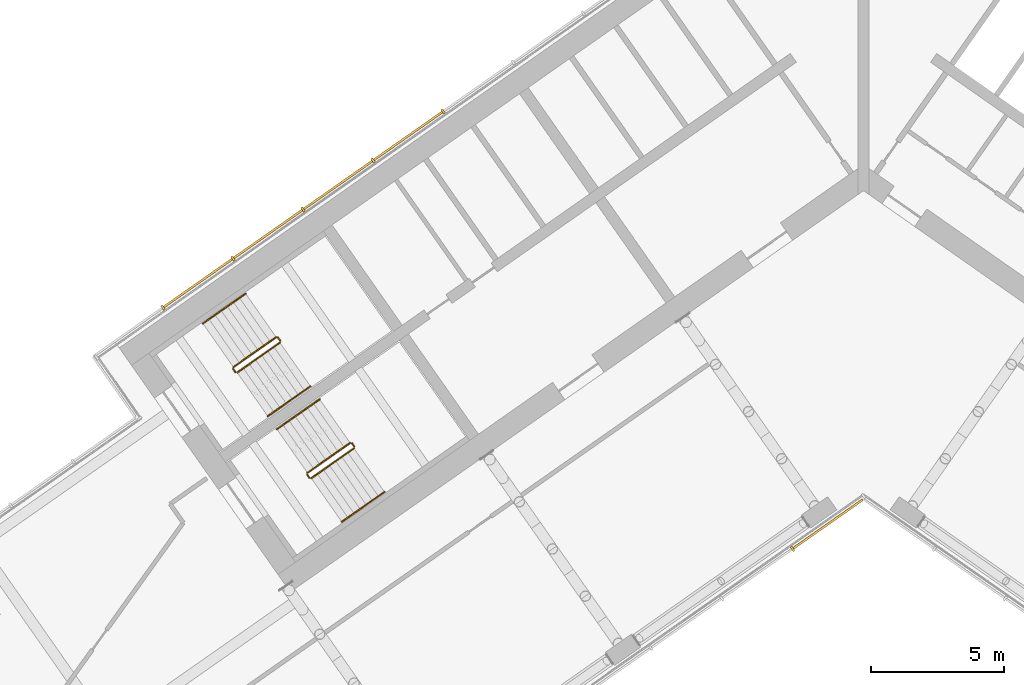
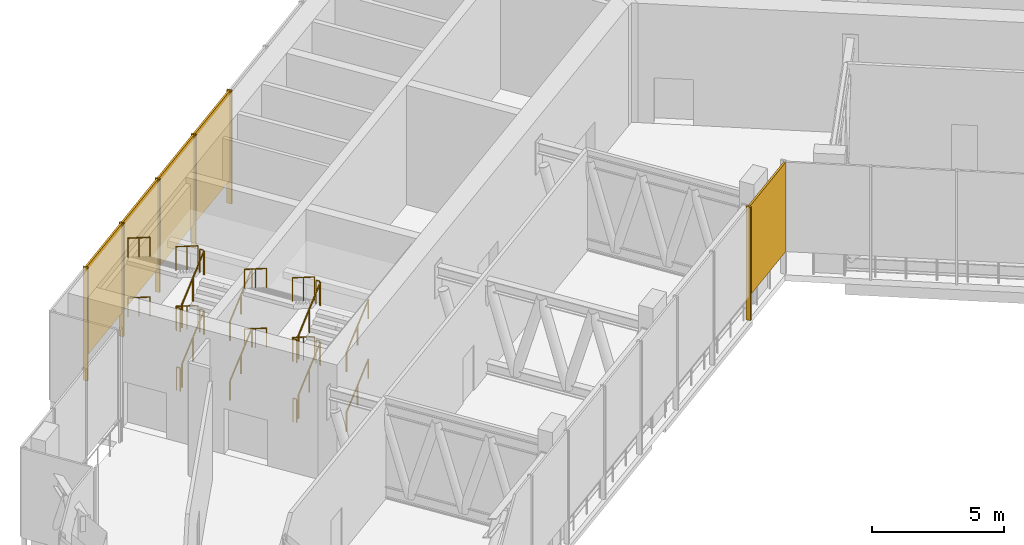
# One storey, part 14 of 19: 24 railings, 11 shading devices.
"""IFC4 building model written with IfcOpenShell, lengths in metres."""

from ifc_helpers import new_model, si_unit, direction, frame, origin, origin_2d, place, context, subcontext, project, spatial, rectangle, circle, extrude, material, layer, layer_set, type_object, element, save


model = new_model("IFC4")

# Units and contexts
model_context = context("Model", 3, precision=1e-05, world=origin(), true_north=direction((0.0, 1.0)))
body_context = subcontext(model_context, "Body", "Model", "MODEL_VIEW")
ifc_project = project(units=[si_unit("LENGTHUNIT", "METRE"), si_unit("AREAUNIT", "SQUARE_METRE"), si_unit("VOLUMEUNIT", "CUBIC_METRE"), si_unit("PLANEANGLEUNIT", "RADIAN"), si_unit("MASSUNIT", "GRAM", prefix="KILO")], contexts=[model_context])

# Site, building, storey
site_placement = place(None, origin())
site = spatial("IfcSite", under=ifc_project, at=site_placement, CompositionType="ELEMENT")
building_placement = place(site_placement, origin())
building = spatial("IfcBuilding", under=site, at=building_placement, Name="Tel Ilan Convention Tower", CompositionType="ELEMENT")
storey_placement = place(building_placement, frame((0.0, 0.0, 213.89990234375)))
storey = spatial("IfcBuildingStorey", under=building, at=storey_placement, Name="L50", CompositionType="ELEMENT", Elevation=213.89990234375)

# Shading devices
ifc_material_1 = material(Name="Perforated aluminium sheet, bronze anodised", Category="aluminium")
ifc_layer_1 = layer(ifc_material_1, 0.080078125)
ifc_layer_set_1 = layer_set([ifc_layer_1], Name="PERFORATED SCREEN 80")
shading_device_type_1 = type_object("IfcShadingDeviceType", Name="PERFORATED SCREEN 80", PredefinedType="USERDEFINED", material=ifc_layer_set_1)
shading_device_placement = place(storey_placement, frame((-1.3310546875, -13.750244140625, 1.10009765625), z_axis=(0.0, 0.0, 1.0), x_axis=(0.819152044289, 0.573576436351, 0.0)))
element("IfcShadingDevice", 1, at=shading_device_placement, inside=storey, type_object=shading_device_type_1, Name="SCREEN", ObjectType="SCREEN", PredefinedType="USERDEFINED", context=body_context, shape_type="SweptSolid", body=[
    extrude(rectangle(XDim=3.189697265625, YDim=0.080078125, at=origin_2d()), origin(), (0.0, 0.0, 1.0), 4.1201171875),
])
for number, where, z_axis, x_axis, name in (
    (2, (-17.112060546875, 0.836181640625, 1.10009765625), (0.0, 0.0, 1.0), (-0.819152044289, -0.573576436351, 0.0), "SCREEN"),
    (3, (-19.74462890625, -1.00732421875, 1.10009765625), (0.0, 0.0, 1.0), (-0.819152044289, -0.573576436351, 0.0), "SCREEN"),
    (4, (-22.377197265625, -2.8505859375, 1.10009765625), (0.0, 0.0, 1.0), (-0.819152044289, -0.573576436351, 0.0), "SCREEN"),
    (5, (-25.009765625, -4.694091796875, 1.10009765625), (0.0, 0.0, 1.0), (-0.819152044289, -0.573576436351, 0.0), "SCREEN"),
):
    element("IfcShadingDevice", number, at=place(storey_placement, frame(where, z_axis=z_axis, x_axis=x_axis)), inside=storey, type_object=shading_device_type_1, Name=name, ObjectType="SCREEN", PredefinedType="USERDEFINED", context=body_context, shape_type="SweptSolid", body=[
        extrude(rectangle(XDim=3.15380859375, YDim=0.080078125, at=origin_2d()), origin(), (0.0, 0.0, 1.0), 4.1201171875),
    ])
ifc_material_2 = material(Name="Aluminium, bronze anodised", Category="aluminium")
ifc_layer_2 = layer(ifc_material_2, 0.080078125)
ifc_layer_set_2 = layer_set([ifc_layer_2], Name="SCREEN POST 80x200")
shading_device_type_2 = type_object("IfcShadingDeviceType", Name="SCREEN POST 80x200", PredefinedType="USERDEFINED", material=ifc_layer_set_2)
for number, where, z_axis, x_axis, name in (
    (6, (-2.662109375, -14.68212890625, 0.0), (0.0, 0.0, 1.0), (0.819152044289, 0.573576436351, 0.0), "Screen post"),
    (7, (-15.795654296875, 1.7578125, 0.0), (0.0, 0.0, 1.0), (-0.819152044289, -0.573576436351, 0.0), "Screen post"),
    (8, (-18.42822265625, -0.08544921875, 0.0), (0.0, 0.0, 1.0), (-0.819152044289, -0.573576436351, 0.0), "Screen post"),
    (9, (-21.06103515625, -1.928955078125, 0.0), (0.0, 0.0, 1.0), (-0.819152044289, -0.573576436351, 0.0), "Screen post"),
    (10, (-23.693603515625, -3.772216796875, 0.0), (0.0, 0.0, 1.0), (-0.819152044289, -0.573576436351, 0.0), "Screen post"),
    (11, (-26.326171875, -5.61572265625, 0.0), (0.0, 0.0, 1.0), (-0.819152044289, -0.573576436351, 0.0), "Screen post"),
):
    element("IfcShadingDevice", number, at=place(storey_placement, frame(where, z_axis=z_axis, x_axis=x_axis)), inside=storey, type_object=shading_device_type_2, Name=name, ObjectType="SCREEN POST", PredefinedType="USERDEFINED", context=body_context, shape_type="SweptSolid", body=[
        extrude(rectangle(XDim=0.080078125, YDim=0.199951171875, at=origin_2d()), origin(), (0.0, 0.0, 1.0), 5.219970703125),
    ])

# Railings
ifc_material_3 = material(Name="Stainless Steel Grade 316", Category="steel")
railing_type_1 = type_object("IfcRailingType", Name="Stainless Steel Stair Guard 1100 mm", PredefinedType="GUARDRAIL", material=ifc_material_3)
railing_1_placement = place(storey_placement, frame((-23.535400390625, -8.056396484375, 0.171875)))
element("IfcRailing", 12, at=railing_1_placement, inside=storey, type_object=railing_type_1, Name="L50 S1 stair guard 1", PredefinedType="GUARDRAIL", context=body_context, shape_type="SweptSolid", body=[
    extrude(circle(Radius=0.02392578125, at=origin_2d()), frame((0.0, 0.0, 1.076171875), z_axis=(0.698094737943, 0.488857400886, 0.523146421621), x_axis=(-0.573612813533, 0.819126571508, 0.0)), (0.0, 0.0, 1.0), 2.2998046875),
    extrude(circle(Radius=0.02099609375, at=origin_2d()), origin(), (0.0, 0.0, 1.0), 1.052001953125),
    extrude(circle(Radius=0.02099609375, at=origin_2d()), frame((0.802734375, 0.56201171875, 0.6015625)), (0.0, 0.0, 1.0), 1.052001953125),
    extrude(circle(Radius=0.02099609375, at=origin_2d()), frame((1.60546875, 1.124267578125, 1.203125)), (0.0, 0.0, 1.0), 1.052001953125),
])
railing_2_placement = place(storey_placement, frame((-21.91748046875, -6.862548828125, 1.375)))
element("IfcRailing", 13, at=railing_2_placement, inside=storey, type_object=railing_type_1, Name="L50 S1 stair guard 2", PredefinedType="GUARDRAIL", context=body_context, shape_type="SweptSolid", body=[
    extrude(circle(Radius=0.02392578125, at=origin_2d()), frame((0.0, 0.0, 1.076171875), z_axis=(-0.57368046593, 0.819079192149, 0.0), x_axis=(-0.819079192149, -0.57368046593, 0.0)), (0.0, 0.0, 1.0), 0.150146484375),
    extrude(circle(Radius=0.02099609375, at=origin_2d()), origin(), (0.0, 0.0, 1.0), 1.052001953125),
    extrude(circle(Radius=0.02099609375, at=origin_2d()), frame((-0.086181640625, 0.123046875, 0.0)), (0.0, 0.0, 1.0), 1.052001953125),
])
railing_3_placement = place(storey_placement, frame((-22.0732421875, -6.727294921875, 1.546875)))
element("IfcRailing", 14, at=railing_3_placement, inside=storey, type_object=railing_type_1, Name="L50 S1 stair guard 3", PredefinedType="GUARDRAIL", context=body_context, shape_type="SweptSolid", body=[
    extrude(circle(Radius=0.02392578125, at=origin_2d()), frame((0.0, 0.0, 1.076171875), z_axis=(-0.698094737943, -0.488857400886, 0.523146421621), x_axis=(0.573612813533, -0.819126571508, 0.0)), (0.0, 0.0, 1.0), 2.2998046875),
    extrude(circle(Radius=0.02099609375, at=origin_2d()), origin(), (0.0, 0.0, 1.0), 1.052001953125),
    extrude(circle(Radius=0.02099609375, at=origin_2d()), frame((-0.802734375, -0.56201171875, 0.6015625)), (0.0, 0.0, 1.0), 1.052001953125),
    extrude(circle(Radius=0.02099609375, at=origin_2d()), frame((-1.60546875, -1.124267578125, 1.203125)), (0.0, 0.0, 1.0), 1.052001953125),
])
railing_4_placement = place(storey_placement, frame((-23.60498046875, -8.0439453125, 2.75)))
element("IfcRailing", 15, at=railing_4_placement, inside=storey, type_object=railing_type_1, Name="L50 S1 stair guard 4", PredefinedType="GUARDRAIL", context=body_context, shape_type="SweptSolid", body=[
    extrude(circle(Radius=0.02392578125, at=origin_2d()), frame((0.0, 0.0, 1.076171875), z_axis=(-0.574444878118, 0.818543268254, 0.0), x_axis=(-0.818543268254, -0.574444878118, 0.0)), (0.0, 0.0, 1.0), 0.150146484375),
    extrude(circle(Radius=0.02099609375, at=origin_2d()), origin(), (0.0, 0.0, 1.0), 1.052001953125),
    extrude(circle(Radius=0.02099609375, at=origin_2d()), frame((-0.086181640625, 0.122802734375, 0.0)), (0.0, 0.0, 1.0), 1.052001953125),
])
railing_5_placement = place(storey_placement, frame((-23.535400390625, -8.056396484375, 2.921875)))
element("IfcRailing", 16, at=railing_5_placement, inside=storey, type_object=railing_type_1, Name="L50 S1 stair guard 5", PredefinedType="GUARDRAIL", context=body_context, shape_type="SweptSolid", body=[
    extrude(circle(Radius=0.02392578125, at=origin_2d()), frame((0.0, 0.0, 1.076171875), z_axis=(0.698094737943, 0.488857400886, 0.523146421621), x_axis=(-0.573612813533, 0.819126571508, 0.0)), (0.0, 0.0, 1.0), 2.2998046875),
    extrude(circle(Radius=0.02099609375, at=origin_2d()), origin(), (0.0, 0.0, 1.0), 1.052001953125),
    extrude(circle(Radius=0.02099609375, at=origin_2d()), frame((0.802734375, 0.56201171875, 0.6015625)), (0.0, 0.0, 1.0), 1.052001953125),
    extrude(circle(Radius=0.02099609375, at=origin_2d()), frame((1.60546875, 1.124267578125, 1.203125)), (0.0, 0.0, 1.0), 1.052001953125),
])
railing_6_placement = place(storey_placement, frame((-21.91748046875, -6.862548828125, 4.125)))
element("IfcRailing", 17, at=railing_6_placement, inside=storey, type_object=railing_type_1, Name="L50 S1 stair guard 6", PredefinedType="GUARDRAIL", context=body_context, shape_type="SweptSolid", body=[
    extrude(circle(Radius=0.02392578125, at=origin_2d()), frame((0.0, 0.0, 1.076171875), z_axis=(-0.57368046593, 0.819079192149, 0.0), x_axis=(-0.819079192149, -0.57368046593, 0.0)), (0.0, 0.0, 1.0), 0.150146484375),
    extrude(circle(Radius=0.02099609375, at=origin_2d()), origin(), (0.0, 0.0, 1.0), 1.052001953125),
    extrude(circle(Radius=0.02099609375, at=origin_2d()), frame((-0.086181640625, 0.123046875, 0.0)), (0.0, 0.0, 1.0), 1.052001953125),
])
railing_7_placement = place(storey_placement, frame((-22.0732421875, -6.727294921875, 4.296875)))
element("IfcRailing", 18, at=railing_7_placement, inside=storey, type_object=railing_type_1, Name="L50 S1 stair guard 7", PredefinedType="GUARDRAIL", context=body_context, shape_type="SweptSolid", body=[
    extrude(circle(Radius=0.02392578125, at=origin_2d()), frame((0.0, 0.0, 1.076171875), z_axis=(-0.698094737943, -0.488857400886, 0.523146421621), x_axis=(0.573612813533, -0.819126571508, 0.0)), (0.0, 0.0, 1.0), 2.2998046875),
    extrude(circle(Radius=0.02099609375, at=origin_2d()), origin(), (0.0, 0.0, 1.0), 1.052001953125),
    extrude(circle(Radius=0.02099609375, at=origin_2d()), frame((-0.802734375, -0.56201171875, 0.6015625)), (0.0, 0.0, 1.0), 1.052001953125),
    extrude(circle(Radius=0.02099609375, at=origin_2d()), frame((-1.60546875, -1.124267578125, 1.203125)), (0.0, 0.0, 1.0), 1.052001953125),
])
railing_8_placement = place(storey_placement, frame((-23.60498046875, -8.0439453125, 0.0)))
element("IfcRailing", 19, at=railing_8_placement, inside=storey, type_object=railing_type_1, Name="L50 S1 stair guard 8", PredefinedType="GUARDRAIL", context=body_context, shape_type="SweptSolid", body=[
    extrude(circle(Radius=0.02392578125, at=origin_2d()), frame((0.0, 0.0, 1.076171875), z_axis=(-0.574444878118, 0.818543268254, 0.0), x_axis=(-0.818543268254, -0.574444878118, 0.0)), (0.0, 0.0, 1.0), 0.150146484375),
    extrude(circle(Radius=0.02099609375, at=origin_2d()), origin(), (0.0, 0.0, 1.0), 1.052001953125),
    extrude(circle(Radius=0.02099609375, at=origin_2d()), frame((-0.086181640625, 0.122802734375, 0.0)), (0.0, 0.0, 1.0), 1.052001953125),
])
railing_9_placement = place(storey_placement, frame((-20.753662109375, -12.029296875, 0.171875)))
element("IfcRailing", 20, at=railing_9_placement, inside=storey, type_object=railing_type_1, Name="L50 S2 stair guard 1", PredefinedType="GUARDRAIL", context=body_context, shape_type="SweptSolid", body=[
    extrude(circle(Radius=0.02392578125, at=origin_2d()), frame((0.0, 0.0, 1.076171875), z_axis=(0.698149155229, 0.488821173762, 0.523107653485), x_axis=(-0.573554290663, 0.819167550421, 0.0)), (0.0, 0.0, 1.0), 2.300048828125),
    extrude(circle(Radius=0.02099609375, at=origin_2d()), origin(), (0.0, 0.0, 1.0), 1.052001953125),
    extrude(circle(Radius=0.02099609375, at=origin_2d()), frame((0.802734375, 0.56201171875, 0.6015625)), (0.0, 0.0, 1.0), 1.052001953125),
    extrude(circle(Radius=0.02099609375, at=origin_2d()), frame((1.605712890625, 1.124267578125, 1.203125)), (0.0, 0.0, 1.0), 1.052001953125),
])
railing_10_placement = place(storey_placement, frame((-19.1357421875, -10.83544921875, 1.375)))
element("IfcRailing", 21, at=railing_10_placement, inside=storey, type_object=railing_type_1, Name="L50 S2 stair guard 2", PredefinedType="GUARDRAIL", context=body_context, shape_type="SweptSolid", body=[
    extrude(circle(Radius=0.02392578125, at=origin_2d()), frame((0.0, 0.0, 1.076171875), z_axis=(-0.572588637393, 0.819842821722, 0.0), x_axis=(-0.819842821722, -0.572588637393, 0.0)), (0.0, 0.0, 1.0), 0.150146484375),
    extrude(circle(Radius=0.02099609375, at=origin_2d()), origin(), (0.0, 0.0, 1.0), 1.052001953125),
    extrude(circle(Radius=0.02099609375, at=origin_2d()), frame((-0.0859375, 0.123046875, 0.0)), (0.0, 0.0, 1.0), 1.052001953125),
])
railing_11_placement = place(storey_placement, frame((-19.29150390625, -10.7001953125, 1.546875)))
element("IfcRailing", 22, at=railing_11_placement, inside=storey, type_object=railing_type_1, Name="L50 S2 stair guard 3", PredefinedType="GUARDRAIL", context=body_context, shape_type="SweptSolid", body=[
    extrude(circle(Radius=0.02392578125, at=origin_2d()), frame((0.0, 0.0, 1.076171875), z_axis=(-0.698094737943, -0.488857400886, 0.523146421621), x_axis=(0.573612813533, -0.819126571508, 0.0)), (0.0, 0.0, 1.0), 2.2998046875),
    extrude(circle(Radius=0.02099609375, at=origin_2d()), origin(), (0.0, 0.0, 1.0), 1.052001953125),
    extrude(circle(Radius=0.02099609375, at=origin_2d()), frame((-0.802734375, -0.56201171875, 0.6015625)), (0.0, 0.0, 1.0), 1.052001953125),
    extrude(circle(Radius=0.02099609375, at=origin_2d()), frame((-1.60546875, -1.124267578125, 1.203125)), (0.0, 0.0, 1.0), 1.052001953125),
])
railing_12_placement = place(storey_placement, frame((-20.8232421875, -12.016845703125, 2.75)))
element("IfcRailing", 23, at=railing_12_placement, inside=storey, type_object=railing_type_1, Name="L50 S2 stair guard 4", PredefinedType="GUARDRAIL", context=body_context, shape_type="SweptSolid", body=[
    extrude(circle(Radius=0.02392578125, at=origin_2d()), frame((0.0, 0.0, 1.076171875), z_axis=(-0.573353020881, 0.819308436089, 0.0), x_axis=(-0.819308436089, -0.573353020881, 0.0)), (0.0, 0.0, 1.0), 0.14990234375),
    extrude(circle(Radius=0.02099609375, at=origin_2d()), origin(), (0.0, 0.0, 1.0), 1.052001953125),
    extrude(circle(Radius=0.02099609375, at=origin_2d()), frame((-0.0859375, 0.122802734375, 0.0)), (0.0, 0.0, 1.0), 1.052001953125),
])
railing_13_placement = place(storey_placement, frame((-20.753662109375, -12.029296875, 2.921875)))
element("IfcRailing", 24, at=railing_13_placement, inside=storey, type_object=railing_type_1, Name="L50 S2 stair guard 5", PredefinedType="GUARDRAIL", context=body_context, shape_type="SweptSolid", body=[
    extrude(circle(Radius=0.02392578125, at=origin_2d()), frame((0.0, 0.0, 1.076171875), z_axis=(0.698149155229, 0.488821173762, 0.523107653485), x_axis=(-0.573554290663, 0.819167550421, 0.0)), (0.0, 0.0, 1.0), 2.300048828125),
    extrude(circle(Radius=0.02099609375, at=origin_2d()), origin(), (0.0, 0.0, 1.0), 1.052001953125),
    extrude(circle(Radius=0.02099609375, at=origin_2d()), frame((0.802734375, 0.56201171875, 0.6015625)), (0.0, 0.0, 1.0), 1.052001953125),
    extrude(circle(Radius=0.02099609375, at=origin_2d()), frame((1.605712890625, 1.124267578125, 1.203125)), (0.0, 0.0, 1.0), 1.052001953125),
])
railing_14_placement = place(storey_placement, frame((-19.1357421875, -10.83544921875, 4.125)))
element("IfcRailing", 25, at=railing_14_placement, inside=storey, type_object=railing_type_1, Name="L50 S2 stair guard 6", PredefinedType="GUARDRAIL", context=body_context, shape_type="SweptSolid", body=[
    extrude(circle(Radius=0.02392578125, at=origin_2d()), frame((0.0, 0.0, 1.076171875), z_axis=(-0.572588637393, 0.819842821722, 0.0), x_axis=(-0.819842821722, -0.572588637393, 0.0)), (0.0, 0.0, 1.0), 0.150146484375),
    extrude(circle(Radius=0.02099609375, at=origin_2d()), origin(), (0.0, 0.0, 1.0), 1.052001953125),
    extrude(circle(Radius=0.02099609375, at=origin_2d()), frame((-0.0859375, 0.123046875, 0.0)), (0.0, 0.0, 1.0), 1.052001953125),
])
railing_15_placement = place(storey_placement, frame((-19.29150390625, -10.7001953125, 4.296875)))
element("IfcRailing", 26, at=railing_15_placement, inside=storey, type_object=railing_type_1, Name="L50 S2 stair guard 7", PredefinedType="GUARDRAIL", context=body_context, shape_type="SweptSolid", body=[
    extrude(circle(Radius=0.02392578125, at=origin_2d()), frame((0.0, 0.0, 1.076171875), z_axis=(-0.698094737943, -0.488857400886, 0.523146421621), x_axis=(0.573612813533, -0.819126571508, 0.0)), (0.0, 0.0, 1.0), 2.2998046875),
    extrude(circle(Radius=0.02099609375, at=origin_2d()), origin(), (0.0, 0.0, 1.0), 1.052001953125),
    extrude(circle(Radius=0.02099609375, at=origin_2d()), frame((-0.802734375, -0.56201171875, 0.6015625)), (0.0, 0.0, 1.0), 1.052001953125),
    extrude(circle(Radius=0.02099609375, at=origin_2d()), frame((-1.60546875, -1.124267578125, 1.203125)), (0.0, 0.0, 1.0), 1.052001953125),
])
railing_16_placement = place(storey_placement, frame((-20.8232421875, -12.016845703125, 0.0)))
element("IfcRailing", 27, at=railing_16_placement, inside=storey, type_object=railing_type_1, Name="L50 S2 stair guard 8", PredefinedType="GUARDRAIL", context=body_context, shape_type="SweptSolid", body=[
    extrude(circle(Radius=0.02392578125, at=origin_2d()), frame((0.0, 0.0, 1.076171875), z_axis=(-0.573353020881, 0.819308436089, 0.0), x_axis=(-0.819308436089, -0.573353020881, 0.0)), (0.0, 0.0, 1.0), 0.14990234375),
    extrude(circle(Radius=0.02099609375, at=origin_2d()), origin(), (0.0, 0.0, 1.0), 1.052001953125),
    extrude(circle(Radius=0.02099609375, at=origin_2d()), frame((-0.0859375, 0.122802734375, 0.0)), (0.0, 0.0, 1.0), 1.052001953125),
])
ifc_material_4 = material(Name="Stainless Steel Grade 316", Category="steel")
railing_type_2 = type_object("IfcRailingType", Name="Stainless Steel Stair Handrail 900 mm", PredefinedType="HANDRAIL", material=ifc_material_4)
railing_17_placement = place(storey_placement, frame((-22.38818359375, -9.694580078125, 0.171875)))
element("IfcRailing", 28, at=railing_17_placement, inside=storey, type_object=railing_type_2, Name="L50 S1 stair handrail 1", PredefinedType="HANDRAIL", context=body_context, shape_type="SweptSolid", body=[
    extrude(circle(Radius=0.02392578125, at=origin_2d()), frame((0.0, 0.0, 0.8759765625), z_axis=(0.698094737943, 0.488857400886, 0.523146421621), x_axis=(-0.573612813533, 0.819126571508, 0.0)), (0.0, 0.0, 1.0), 2.2998046875),
    extrude(circle(Radius=0.02099609375, at=origin_2d()), origin(), (0.0, 0.0, 1.0), 0.851806640625),
    extrude(circle(Radius=0.02099609375, at=origin_2d()), frame((0.802734375, 0.56201171875, 0.6015625)), (0.0, 0.0, 1.0), 0.851806640625),
    extrude(circle(Radius=0.02099609375, at=origin_2d()), frame((1.60546875, 1.124267578125, 1.203125)), (0.0, 0.0, 1.0), 0.851806640625),
])
railing_18_placement = place(storey_placement, frame((-23.220458984375, -5.089111328125, 1.546875)))
element("IfcRailing", 29, at=railing_18_placement, inside=storey, type_object=railing_type_2, Name="L50 S1 stair handrail 2", PredefinedType="HANDRAIL", context=body_context, shape_type="SweptSolid", body=[
    extrude(circle(Radius=0.02392578125, at=origin_2d()), frame((0.0, 0.0, 0.8759765625), z_axis=(-0.698130965226, -0.488776606433, 0.523173570048), x_axis=(0.573529226717, -0.819185098803, 0.0)), (0.0, 0.0, 1.0), 2.299560546875),
    extrude(circle(Radius=0.02099609375, at=origin_2d()), origin(), (0.0, 0.0, 1.0), 0.851806640625),
    extrude(circle(Radius=0.02099609375, at=origin_2d()), frame((-0.802734375, -0.56201171875, 0.6015625)), (0.0, 0.0, 1.0), 0.851806640625),
    extrude(circle(Radius=0.02099609375, at=origin_2d()), frame((-1.60546875, -1.1240234375, 1.203125)), (0.0, 0.0, 1.0), 0.851806640625),
])
railing_19_placement = place(storey_placement, frame((-22.38818359375, -9.694580078125, 2.921875)))
element("IfcRailing", 30, at=railing_19_placement, inside=storey, type_object=railing_type_2, Name="L50 S1 stair handrail 3", PredefinedType="HANDRAIL", context=body_context, shape_type="SweptSolid", body=[
    extrude(circle(Radius=0.02392578125, at=origin_2d()), frame((0.0, 0.0, 0.8759765625), z_axis=(0.698094737943, 0.488857400886, 0.523146421621), x_axis=(-0.573612813533, 0.819126571508, 0.0)), (0.0, 0.0, 1.0), 2.2998046875),
    extrude(circle(Radius=0.02099609375, at=origin_2d()), origin(), (0.0, 0.0, 1.0), 0.851806640625),
    extrude(circle(Radius=0.02099609375, at=origin_2d()), frame((0.802734375, 0.56201171875, 0.6015625)), (0.0, 0.0, 1.0), 0.851806640625),
    extrude(circle(Radius=0.02099609375, at=origin_2d()), frame((1.60546875, 1.124267578125, 1.203125)), (0.0, 0.0, 1.0), 0.851806640625),
])
railing_20_placement = place(storey_placement, frame((-23.220458984375, -5.089111328125, 4.296875)))
element("IfcRailing", 31, at=railing_20_placement, inside=storey, type_object=railing_type_2, Name="L50 S1 stair handrail 4", PredefinedType="HANDRAIL", context=body_context, shape_type="SweptSolid", body=[
    extrude(circle(Radius=0.02392578125, at=origin_2d()), frame((0.0, 0.0, 0.8759765625), z_axis=(-0.698130965226, -0.488776606433, 0.523173570048), x_axis=(0.573529226717, -0.819185098803, 0.0)), (0.0, 0.0, 1.0), 2.299560546875),
    extrude(circle(Radius=0.02099609375, at=origin_2d()), origin(), (0.0, 0.0, 1.0), 0.851806640625),
    extrude(circle(Radius=0.02099609375, at=origin_2d()), frame((-0.802734375, -0.56201171875, 0.6015625)), (0.0, 0.0, 1.0), 0.851806640625),
    extrude(circle(Radius=0.02099609375, at=origin_2d()), frame((-1.60546875, -1.1240234375, 1.203125)), (0.0, 0.0, 1.0), 0.851806640625),
])
railing_21_placement = place(storey_placement, frame((-19.6064453125, -13.66748046875, 0.171875)))
element("IfcRailing", 32, at=railing_21_placement, inside=storey, type_object=railing_type_2, Name="L50 S2 stair handrail 1", PredefinedType="HANDRAIL", context=body_context, shape_type="SweptSolid", body=[
    extrude(circle(Radius=0.02392578125, at=origin_2d()), frame((0.0, 0.0, 0.8759765625), z_axis=(0.698094737943, 0.488857400886, 0.523146421621), x_axis=(-0.573612813533, 0.819126571508, 0.0)), (0.0, 0.0, 1.0), 2.2998046875),
    extrude(circle(Radius=0.02099609375, at=origin_2d()), origin(), (0.0, 0.0, 1.0), 0.851806640625),
    extrude(circle(Radius=0.02099609375, at=origin_2d()), frame((0.802734375, 0.56201171875, 0.6015625)), (0.0, 0.0, 1.0), 0.851806640625),
    extrude(circle(Radius=0.02099609375, at=origin_2d()), frame((1.60546875, 1.124267578125, 1.203125)), (0.0, 0.0, 1.0), 0.851806640625),
])
railing_22_placement = place(storey_placement, frame((-20.4384765625, -9.06201171875, 1.546875)))
element("IfcRailing", 33, at=railing_22_placement, inside=storey, type_object=railing_type_2, Name="L50 S2 stair handrail 2", PredefinedType="HANDRAIL", context=body_context, shape_type="SweptSolid", body=[
    extrude(circle(Radius=0.02392578125, at=origin_2d()), frame((0.0, 0.0, 0.8759765625), z_axis=(-0.698185379967, -0.488740381537, 0.523134795876), x_axis=(0.573470704013, -0.8192260687, 0.0)), (0.0, 0.0, 1.0), 2.2998046875),
    extrude(circle(Radius=0.02099609375, at=origin_2d()), origin(), (0.0, 0.0, 1.0), 0.851806640625),
    extrude(circle(Radius=0.02099609375, at=origin_2d()), frame((-0.802734375, -0.56201171875, 0.6015625)), (0.0, 0.0, 1.0), 0.851806640625),
    extrude(circle(Radius=0.02099609375, at=origin_2d()), frame((-1.605712890625, -1.1240234375, 1.203125)), (0.0, 0.0, 1.0), 0.851806640625),
])
railing_23_placement = place(storey_placement, frame((-19.6064453125, -13.66748046875, 2.921875)))
element("IfcRailing", 34, at=railing_23_placement, inside=storey, type_object=railing_type_2, Name="L50 S2 stair handrail 3", PredefinedType="HANDRAIL", context=body_context, shape_type="SweptSolid", body=[
    extrude(circle(Radius=0.02392578125, at=origin_2d()), frame((0.0, 0.0, 0.8759765625), z_axis=(0.698094737943, 0.488857400886, 0.523146421621), x_axis=(-0.573612813533, 0.819126571508, 0.0)), (0.0, 0.0, 1.0), 2.2998046875),
    extrude(circle(Radius=0.02099609375, at=origin_2d()), origin(), (0.0, 0.0, 1.0), 0.851806640625),
    extrude(circle(Radius=0.02099609375, at=origin_2d()), frame((0.802734375, 0.56201171875, 0.6015625)), (0.0, 0.0, 1.0), 0.851806640625),
    extrude(circle(Radius=0.02099609375, at=origin_2d()), frame((1.60546875, 1.124267578125, 1.203125)), (0.0, 0.0, 1.0), 0.851806640625),
])
railing_24_placement = place(storey_placement, frame((-20.4384765625, -9.06201171875, 4.296875)))
element("IfcRailing", 35, at=railing_24_placement, inside=storey, type_object=railing_type_2, Name="L50 S2 stair handrail 4", PredefinedType="HANDRAIL", context=body_context, shape_type="SweptSolid", body=[
    extrude(circle(Radius=0.02392578125, at=origin_2d()), frame((0.0, 0.0, 0.8759765625), z_axis=(-0.698185379967, -0.488740381537, 0.523134795876), x_axis=(0.573470704013, -0.8192260687, 0.0)), (0.0, 0.0, 1.0), 2.2998046875),
    extrude(circle(Radius=0.02099609375, at=origin_2d()), origin(), (0.0, 0.0, 1.0), 0.851806640625),
    extrude(circle(Radius=0.02099609375, at=origin_2d()), frame((-0.802734375, -0.56201171875, 0.6015625)), (0.0, 0.0, 1.0), 0.851806640625),
    extrude(circle(Radius=0.02099609375, at=origin_2d()), frame((-1.605712890625, -1.1240234375, 1.203125)), (0.0, 0.0, 1.0), 0.851806640625),
])

save(model, "model.ifc")
